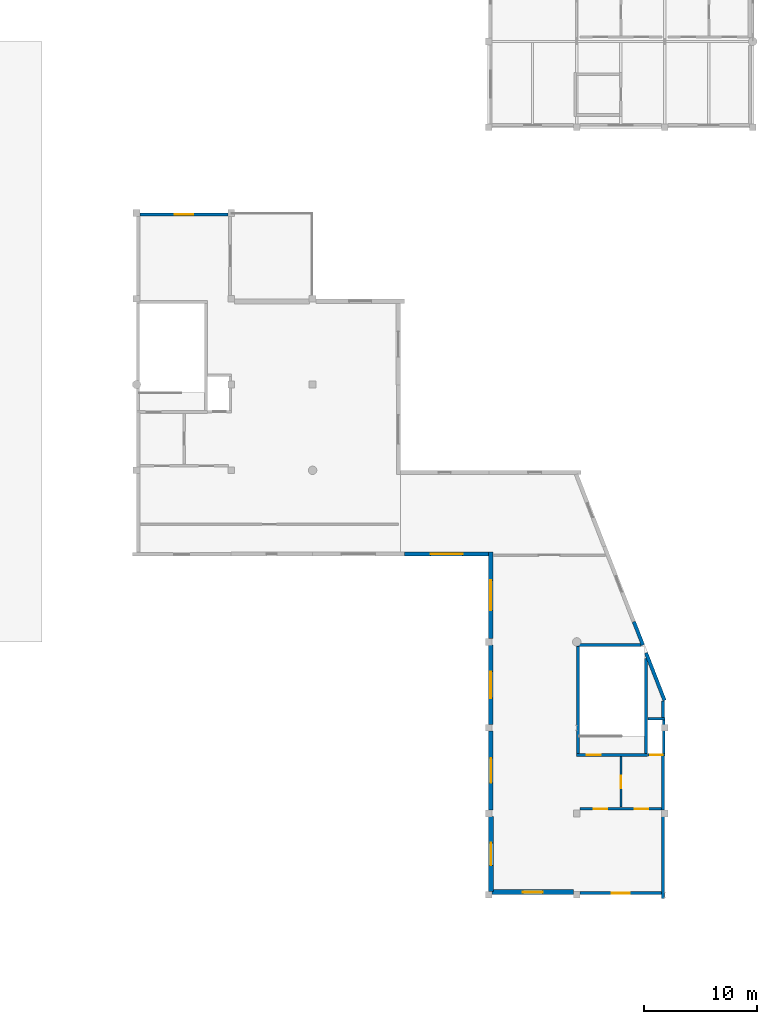
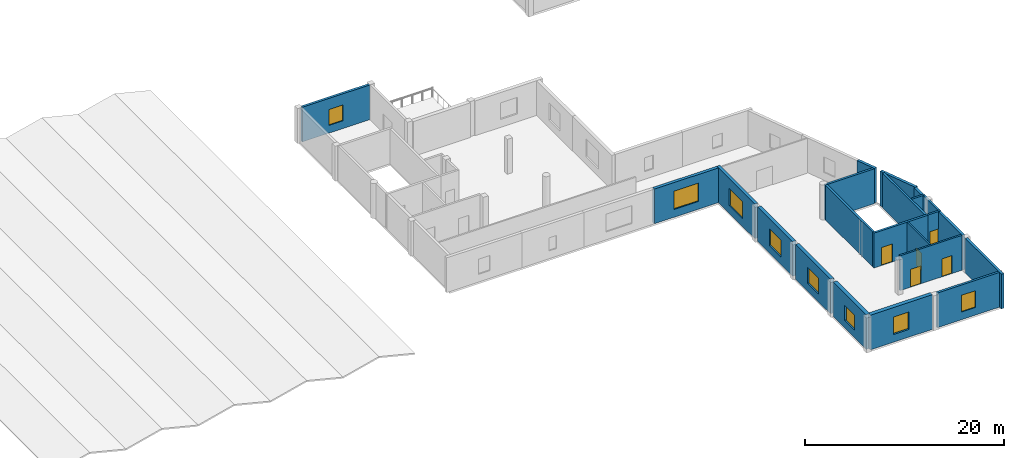
# One storey, part 23 of 28: 22 walls, 8 windows, 5 doors, 13 openings.
"""IFC4 building model written with IfcOpenShell, lengths in metres."""

import ifcopenshell
import ifcopenshell.guid

model = None  # the IFC model being written
_history = None  # IfcOwnerHistory: only IFC2X3 demands one
_inside = {}  # id of a spatial element -> (the spatial element, [elements in it])
_under = {}  # id of a project, library or spatial element -> (it, [spatial elements below it])
_declared = {}  # id of a project -> (the project, [libraries it declares])
_typed = {}  # id of a type object -> (the type object, [elements of that type])
_made_of = {}  # id of a material, layer set ... -> (it, [elements and type objects made of it])


def new_model(schema):
    """Start an empty IFC model of exactly this schema.

    Asked for "IFC4X3", IfcOpenShell would pick the latest addendum, in which some entities
    have other attributes; the version numbers below select the first issue.
    IFC2X3 requires an IfcOwnerHistory on every rooted entity: one is made here for all.
    """
    global model, _history
    if schema == "IFC4X3":
        model = ifcopenshell.file(schema_version=(4, 3, 0, 0))
    else:
        model = ifcopenshell.file(schema=schema)
    _inside.clear()
    _under.clear()
    _declared.clear()
    _typed.clear()
    _made_of.clear()
    _history = None
    if model.schema == "IFC2X3":
        org = make("IfcOrganization", Name="unknown")
        user = make(
            "IfcPersonAndOrganization",
            ThePerson=make("IfcPerson", FamilyName="unknown"),
            TheOrganization=org,
        )
        app = make(
            "IfcApplication",
            ApplicationDeveloper=org,
            Version="unknown",
            ApplicationFullName="unknown",
            ApplicationIdentifier="unknown",
        )
        _history = make(
            "IfcOwnerHistory",
            OwningUser=user,
            OwningApplication=app,
            ChangeAction="ADDED",
            CreationDate=0,
        )
    return model


def make(cls, **values):
    """One entity of the class cls with the attributes given. An attribute that is None is left unset."""
    return model.create_entity(
        cls, **{name: value for name, value in values.items() if value is not None}
    )


def rooted(cls, **values):
    """An entity with a GlobalId (a new one), such as an element, a storey or a relation."""
    return make(cls, GlobalId=ifcopenshell.guid.new(), OwnerHistory=_history, **values)


def si_unit(unit_type, name, prefix=None):
    """IfcSIUnit, for example si_unit("LENGTHUNIT", "METRE", prefix="MILLI")."""
    return make("IfcSIUnit", UnitType=unit_type, Prefix=prefix, Name=name)


def assignment(units):
    """IfcUnitAssignment: the units of a project."""
    return None if units is None else make("IfcUnitAssignment", Units=units)


def point(xyz):
    """IfcCartesianPoint."""
    return None if xyz is None else make("IfcCartesianPoint", Coordinates=xyz)


def direction(xyz):
    """IfcDirection."""
    return None if xyz is None else make("IfcDirection", DirectionRatios=xyz)


def frame(location, z_axis=None, x_axis=None):
    """IfcAxis2Placement3D, a coordinate frame: its origin and axes. An axis left out is left unset."""
    return make(
        "IfcAxis2Placement3D",
        Location=point(location),
        Axis=direction(z_axis),
        RefDirection=direction(x_axis),
    )


def frame_2d(location, x_axis=None):
    """IfcAxis2Placement2D, a coordinate frame in the plane: its origin and x axis."""
    return make(
        "IfcAxis2Placement2D", Location=point(location), RefDirection=direction(x_axis)
    )


def origin():
    """The frame at (0, 0, 0) with its axes left unset."""
    return frame((0.0, 0.0, 0.0))


def place(relative_to, where):
    """IfcLocalPlacement: puts the frame where relative to a parent placement (None: the world)."""
    return make(
        "IfcLocalPlacement", PlacementRelTo=relative_to, RelativePlacement=where
    )


def context(
    kind, dimensions, precision=None, world=None, true_north=None, identifier=None
):
    """IfcGeometricRepresentationContext, for example the 3D "Model" context."""
    return make(
        "IfcGeometricRepresentationContext",
        ContextIdentifier=identifier,
        ContextType=kind,
        CoordinateSpaceDimension=dimensions,
        Precision=precision,
        WorldCoordinateSystem=world,
        TrueNorth=true_north,
    )


def subcontext(parent, identifier, kind, view, scale=None):
    """IfcGeometricRepresentationSubContext, for example "Body" below "Model"."""
    return make(
        "IfcGeometricRepresentationSubContext",
        ContextIdentifier=identifier,
        ContextType=kind,
        ParentContext=parent,
        TargetScale=scale,
        TargetView=view,
    )


def project(units=None, contexts=None):
    """IfcProject with its units and contexts."""
    return rooted(
        "IfcProject",
        Name="project",
        RepresentationContexts=contexts,
        UnitsInContext=assignment(units),
    )


def spatial(cls, under=None, at=None, **own):
    """A site, building, storey or space (cls), placed at a placement, below another one or the project."""
    s = rooted(cls, ObjectPlacement=at, **own)
    if under is not None:
        _under.setdefault(under.id(), (under, []))[1].append(s)
    return s


def profile(cls, at=None, kind="AREA", **sizes):
    """A parametric profile (cls). Its sizes go by their IFC names, for example OverallWidth=200.0."""
    return make(cls, ProfileType=kind, Position=at, **sizes)


def rectangle(**sizes):
    """IfcRectangleProfileDef."""
    return profile("IfcRectangleProfileDef", **sizes)


def extrude(swept, where, along, depth):
    """IfcExtrudedAreaSolid: the profile swept, set in the frame where, extruded along a direction by depth."""
    return make(
        "IfcExtrudedAreaSolid",
        SweptArea=swept,
        Position=where,
        ExtrudedDirection=direction(along),
        Depth=depth,
    )


def shape(context_of_items, identifier, shape_type, items):
    """IfcShapeRepresentation: the items that make up one representation, for example the "Body"."""
    return make(
        "IfcShapeRepresentation",
        ContextOfItems=context_of_items,
        RepresentationIdentifier=identifier,
        RepresentationType=shape_type,
        Items=items,
    )


def material(Name=None, Category=None):
    """IfcMaterial."""
    return make("IfcMaterial", Name=Name, Category=Category)


def layer(
    of_material, thickness, ventilated=None, Name=None, Category=None, Priority=None
):
    """IfcMaterialLayer: one layer of a wall or slab, of a material (None: an air gap)."""
    return make(
        "IfcMaterialLayer",
        Material=of_material,
        LayerThickness=thickness,
        IsVentilated=ventilated,
        Name=Name,
        Category=Category,
        Priority=Priority,
    )


def layer_set(layers, Name=None):
    """IfcMaterialLayerSet."""
    return make("IfcMaterialLayerSet", MaterialLayers=layers, LayerSetName=Name)


def made_of(thing, what):
    """Note that an element or type object is made of a material, layer set ...; save() writes the relation."""
    if what is not None:
        _made_of.setdefault(what.id(), (what, []))[1].append(thing)
    return thing


def type_object(cls, material=None, **own):
    """A type object (cls), such as IfcWallType, which elements share."""
    return made_of(rooted(cls, **own), material)


def element(
    cls,
    number,
    at=None,
    inside=None,
    cuts=None,
    type_object=None,
    material=None,
    context=None,
    identifier="Body",
    shape_type=None,
    held_by="IfcProductDefinitionShape",
    body=None,
    shapes=None,
    **own,
):
    """One element of the class cls, such as IfcWall. Its Tag is "e" and its number.

    at: its placement. inside: the storey or other place that contains it. cuts: it is an
    opening in that element (IfcRelVoidsElement). A single representation is given by context,
    identifier, shape_type and body (its items); several are given by shapes. held_by: the class
    of the entity that holds the representations. save() writes the other relations.
    """
    e = rooted(cls, Tag="e%d" % number, ObjectPlacement=at, **own)
    if body is not None:
        shapes = [shape(context, identifier, shape_type, body)]
    if shapes is not None:
        e.Representation = make(held_by, Representations=shapes)
    if inside is not None:
        _inside.setdefault(inside.id(), (inside, []))[1].append(e)
    if cuts is not None:
        rooted(
            "IfcRelVoidsElement", RelatingBuildingElement=cuts, RelatedOpeningElement=e
        )
    if type_object is not None:
        _typed.setdefault(type_object.id(), (type_object, []))[1].append(e)
    return made_of(e, material)


def fill(opening, filler):
    """IfcRelFillsElement: the door or window that sits in an opening."""
    return rooted(
        "IfcRelFillsElement",
        RelatingOpeningElement=opening,
        RelatedBuildingElement=filler,
    )


def aggregate(whole, parts):
    """IfcRelAggregates: a whole, such as a stair, and the parts it consists of."""
    return rooted("IfcRelAggregates", RelatingObject=whole, RelatedObjects=parts)


def save(model, path):
    """Write the relations noted so far, then the file.

    IfcRelAggregates (storeys below a building ...), IfcRelContainedInSpatialStructure (elements
    in a storey), IfcRelDefinesByType, IfcRelAssociatesMaterial and IfcRelDeclares: one each for
    every whole, place, type object, material and project.
    """
    for whole, parts in _under.values():
        aggregate(whole, parts)
    for where, things in _inside.values():
        rooted(
            "IfcRelContainedInSpatialStructure",
            RelatedElements=things,
            RelatingStructure=where,
        )
    for kind, things in _typed.values():
        rooted("IfcRelDefinesByType", RelatedObjects=things, RelatingType=kind)
    for what, things in _made_of.values():
        rooted("IfcRelAssociatesMaterial", RelatedObjects=things, RelatingMaterial=what)
    for by, libraries in _declared.values():
        rooted("IfcRelDeclares", RelatingContext=by, RelatedDefinitions=libraries)
    model.write(path)


model = new_model("IFC4")

# Units and contexts
model_context = context("Model", 3, precision=1e-05, world=origin(), true_north=direction((0.0, 1.0)))
body_context = subcontext(model_context, "Body", "Model", "MODEL_VIEW")
ifc_project = project(units=[si_unit("LENGTHUNIT", "METRE"), si_unit("AREAUNIT", "SQUARE_METRE"), si_unit("VOLUMEUNIT", "CUBIC_METRE"), si_unit("PLANEANGLEUNIT", "RADIAN"), si_unit("MASSUNIT", "GRAM", prefix="KILO")], contexts=[model_context])

# Site, building, storey
site_placement = place(None, origin())
site = spatial("IfcSite", under=ifc_project, at=site_placement, CompositionType="ELEMENT")
building_placement = place(site_placement, origin())
building = spatial("IfcBuilding", under=site, at=building_placement, Name="Xicomal Pleat Aquarium", CompositionType="ELEMENT")
storey_placement = place(building_placement, frame((0.0, 0.0, 15.300048828125)))
storey = spatial("IfcBuildingStorey", under=building, at=storey_placement, Name="L04", CompositionType="ELEMENT", Elevation=15.300048828125)

# Wall, opening, door
ifc_material_1 = material(Name="Concrete C40/50", Category="concrete")
ifc_layer_1 = layer(ifc_material_1, 0.219970703125)
ifc_layer_set_1 = layer_set([ifc_layer_1], Name="Concrete C40/50")
wall_type_1 = type_object("IfcWallType", Name="WAL-COR-220", PredefinedType="SHEAR", material=ifc_layer_set_1)
wall_1_placement = place(storey_placement, frame((147.89990234375, 20.389892578125, 0.0), z_axis=(0.0, 0.0, 1.0), x_axis=(1.0, 0.0, 0.0)))
wall_1 = element("IfcWall", 1, at=wall_1_placement, inside=storey, type_object=wall_type_1, Name="L04 LF-08 lift shaft wall CW-L04-C8-LS", PredefinedType="SHEAR", context=body_context, shape_type="SweptSolid", body=[
    extrude(rectangle(XDim=1.52001953125, YDim=0.219970703125, at=frame_2d((0.760009765625, 0.0))), origin(), (0.0, 0.0, 1.0), 4.280029296875),
])
opening_1_placement = place(wall_1_placement, frame((0.2099609375, 0.0, 0.0)))
opening_1 = element("IfcOpeningElement", 2, at=opening_1_placement, cuts=wall_1, Name="Opening LD-08-L04", PredefinedType="OPENING", context=body_context, shape_type="SweptSolid", body=[
    extrude(rectangle(XDim=1.10009765625, YDim=2.14990234375, at=frame_2d((0.550048828125, 1.074951171875))), frame((0.0, 0.119873046875, 0.0), z_axis=(0.0, -1.0, 0.0), x_axis=(1.0, 0.0, 0.0)), (0.0, 0.0, 1.0), 0.239990234375),
])
ifc_material_2 = material(Name="Brushed stainless steel 304", Category="steel")
door_type_1 = type_object("IfcDoorType", Name="DOR-LD-1100x2150", OperationType="DOUBLE_DOOR_SLIDING", PredefinedType="DOOR", material=ifc_material_2)
door_1_placement = place(opening_1_placement, origin())
door_1 = element("IfcDoor", 3, at=door_1_placement, inside=storey, type_object=door_type_1, Name="L04 LF-08 sliding lift landing door", OperationType="DOUBLE_DOOR_SLIDING", OverallHeight=2.14990234375, OverallWidth=1.10009765625, PredefinedType="DOOR", context=body_context, shape_type="SweptSolid", body=[
    extrude(rectangle(XDim=1.10009765625, YDim=2.14990234375, at=frame_2d((0.550048828125, 1.074951171875))), frame((0.0, 0.02490234375, 0.0), z_axis=(0.0, -1.0, 0.0), x_axis=(1.0, 0.0, 0.0)), (0.0, 0.0, 1.0), 0.050048828125),
])
fill(opening_1, door_1)

# Walls
wall_2_placement = place(storey_placement, frame((147.89990234375, 23.610107421875, 0.0), z_axis=(0.0, 0.0, 1.0), x_axis=(1.0, 0.0, 0.0)))
element("IfcWall", 4, at=wall_2_placement, inside=storey, type_object=wall_type_1, Name="L04 LF-08 lift shaft wall CW-L04-C8-LN", PredefinedType="SHEAR", context=body_context, shape_type="SweptSolid", body=[
    extrude(rectangle(XDim=1.52001953125, YDim=0.219970703125, at=frame_2d((0.760009765625, 0.0))), origin(), (0.0, 0.0, 1.0), 4.280029296875),
])
wall_3_placement = place(storey_placement, frame((149.31005859375, 20.5, 0.0), z_axis=(0.0, 0.0, 1.0), x_axis=(0.0, 1.0, 0.0)))
element("IfcWall", 5, at=wall_3_placement, inside=storey, type_object=wall_type_1, Name="L04 LF-08 lift shaft wall CW-L04-C8-LE", PredefinedType="SHEAR", context=body_context, shape_type="SweptSolid", body=[
    extrude(rectangle(XDim=3.0, YDim=0.219970703125, at=frame_2d((1.5, 0.0))), origin(), (0.0, 0.0, 1.0), 4.280029296875),
])

# Wall, opening, door
ifc_material_3 = material(Name="Concrete C40/50", Category="concrete")
ifc_layer_2 = layer(ifc_material_3, 0.25)
ifc_layer_set_2 = layer_set([ifc_layer_2], Name="Concrete C40/50")
wall_type_2 = type_object("IfcWallType", Name="WAL-COR-250", PredefinedType="SHEAR", material=ifc_layer_set_2)
wall_4_placement = place(storey_placement, frame((141.590087890625, 20.375, 0.0), z_axis=(0.0, 0.0, 1.0), x_axis=(1.0, 0.0, 0.0)))
wall_4 = element("IfcWall", 6, at=wall_4_placement, inside=storey, type_object=wall_type_2, Name="L04 CORE-8 stair shear wall CW-L04-C8-SS", PredefinedType="SHEAR", context=body_context, shape_type="SweptSolid", body=[
    extrude(rectangle(XDim=6.280029296875, YDim=0.25, at=frame_2d((3.14013671875, 0.0))), origin(), (0.0, 0.0, 1.0), 4.280029296875),
])
opening_2_placement = place(wall_4_placement, frame((0.89990234375, 0.0, 0.0)))
opening_2 = element("IfcOpeningElement", 7, at=opening_2_placement, cuts=wall_4, Name="Opening SD-08-L04", PredefinedType="OPENING", context=body_context, shape_type="SweptSolid", body=[
    extrude(rectangle(XDim=1.25, YDim=2.199951171875, at=frame_2d((0.625, 1.10009765625))), frame((0.0, 0.135009765625, 0.0), z_axis=(0.0, -1.0, 0.0), x_axis=(1.0, 0.0, 0.0)), (0.0, 0.0, 1.0), 0.27001953125),
])
ifc_material_4 = material(Name="Powder-coated steel fire door", Category="steel")
door_type_2 = type_object("IfcDoorType", Name="DOR-ST-1250x2200", OperationType="NOTDEFINED", PredefinedType="DOOR", material=ifc_material_4)
door_2_placement = place(opening_2_placement, origin())
door_2 = element("IfcDoor", 8, at=door_2_placement, inside=storey, type_object=door_type_2, Name="L04 ST-08 protected stair door", OperationType="SINGLE_SWING_LEFT", OverallHeight=2.199951171875, OverallWidth=1.25, PredefinedType="DOOR", context=body_context, shape_type="SweptSolid", body=[
    extrude(rectangle(XDim=1.25, YDim=2.199951171875, at=frame_2d((0.625, 1.10009765625))), frame((0.0, 0.02490234375, 0.0), z_axis=(0.0, -1.0, 0.0), x_axis=(1.0, 0.0, 0.0)), (0.0, 0.0, 1.0), 0.050048828125),
])
fill(opening_2, door_2)

# Walls
wall_5_placement = place(storey_placement, frame((141.590087890625, 30.125, 0.0), z_axis=(0.0, 0.0, 1.0), x_axis=(1.0, 0.0, 0.0)))
element("IfcWall", 9, at=wall_5_placement, inside=storey, type_object=wall_type_2, Name="L04 CORE-8 stair shear wall CW-L04-C8-SN", PredefinedType="SHEAR", context=body_context, shape_type="SweptSolid", body=[
    extrude(rectangle(XDim=5.68798828125, YDim=0.25, at=frame_2d((2.843994140625, 0.0))), origin(), (0.0, 0.0, 1.0), 4.280029296875),
])
wall_6_placement = place(storey_placement, frame((141.715087890625, 20.5, 0.0), z_axis=(0.0, 0.0, 1.0), x_axis=(0.0, 1.0, 0.0)))
element("IfcWall", 10, at=wall_6_placement, inside=storey, type_object=wall_type_2, Name="L04 CORE-8 stair shear wall CW-L04-C8-SW", PredefinedType="SHEAR", context=body_context, shape_type="SweptSolid", body=[
    extrude(rectangle(XDim=9.5, YDim=0.25, at=frame_2d((4.75, 0.0))), origin(), (0.0, 0.0, 1.0), 4.280029296875),
])
wall_7_placement = place(storey_placement, frame((147.7451171875, 20.5, 0.0), z_axis=(0.0, 0.0, 1.0), x_axis=(0.0, 1.0, 0.0)))
element("IfcWall", 11, at=wall_7_placement, inside=storey, type_object=wall_type_2, Name="L04 CORE-8 stair shear wall CW-L04-C8-SE", PredefinedType="SHEAR", context=body_context, shape_type="SweptSolid", body=[
    extrude(rectangle(XDim=8.428955078125, YDim=0.25, at=frame_2d((4.21435546875, 0.0))), origin(), (0.0, 0.0, 1.0), 4.280029296875),
])

# Wall, opening, window
ifc_material_5 = material(Name="Volcanic basalt recinto masonry and concrete C40/50", Category="masonry")
ifc_layer_3 = layer(ifc_material_5, 0.35009765625)
ifc_layer_set_3 = layer_set([ifc_layer_3], Name="Volcanic basalt recinto masonry and concrete C40/50")
wall_type_3 = type_object("IfcWallType", Name="WAL-EXT-BAS-350", PredefinedType="SOLIDWALL", material=ifc_layer_set_3)
wall_8_placement = place(storey_placement, frame((133.7958984375, 38.175048828125, 0.0), z_axis=(0.0, 0.0, 1.0), x_axis=(-1.0, 0.0, 0.0)))
wall_8 = element("IfcWall", 12, at=wall_8_placement, inside=storey, type_object=wall_type_3, Name="L04 exterior basalt-precast wall EW-L04-040", PredefinedType="SOLIDWALL", context=body_context, shape_type="SweptSolid", body=[
    extrude(rectangle(XDim=7.435791015625, YDim=0.35009765625, at=frame_2d((3.7177734375, 0.0))), origin(), (0.0, 0.0, 1.0), 4.260009765625),
])
opening_3_placement = place(wall_8_placement, frame((2.29296875, 0.0, 0.949951171875)))
opening_3 = element("IfcOpeningElement", 13, at=opening_3_placement, cuts=wall_8, Name="Opening WN-24", PredefinedType="OPENING", context=body_context, shape_type="SweptSolid", body=[
    extrude(rectangle(XDim=2.85009765625, YDim=2.25, at=frame_2d((1.425048828125, 1.125))), frame((0.0, 0.18505859375, 0.0), z_axis=(0.0, -1.0, 0.0), x_axis=(1.0, 0.0, 0.0)), (0.0, 0.0, 1.0), 0.3701171875),
])
ifc_material_6 = material(Name="Insulated low-E laminated glass", Category="glass")
window_type_1 = type_object("IfcWindowType", Name="WIN-EXT-2850x2250", PartitioningType="DOUBLE_PANEL_VERTICAL", PredefinedType="WINDOW", material=ifc_material_6)
window_1_placement = place(opening_3_placement, origin())
window_1 = element("IfcWindow", 14, at=window_1_placement, inside=storey, type_object=window_type_1, Name="L04 thermally broken low-E window 72", OverallHeight=2.25, OverallWidth=2.85009765625, PartitioningType="SINGLE_PANEL", PredefinedType="WINDOW", context=body_context, shape_type="SweptSolid", body=[
    extrude(rectangle(XDim=2.85009765625, YDim=2.25, at=frame_2d((1.425048828125, 1.125))), frame((0.0, 0.030029296875, 0.0), z_axis=(0.0, -1.0, 0.0), x_axis=(1.0, 0.0, 0.0)), (0.0, 0.0, 1.0), 0.06005859375),
])
fill(opening_3, window_1)

ifc_material_7 = material(Name="Volcanic basalt recinto masonry and concrete C40/50", Category="masonry")
ifc_layer_4 = layer(ifc_material_7, 0.364990234375)
ifc_layer_set_4 = layer_set([ifc_layer_4], Name="Volcanic basalt recinto masonry and concrete C40/50")
wall_type_4 = type_object("IfcWallType", Name="WAL-EXT-BAS-365", PredefinedType="SOLIDWALL", material=ifc_layer_set_4)
wall_9_placement = place(storey_placement, frame((133.98291015625, 30.68505859375, 0.0), z_axis=(0.0, 0.0, 1.0), x_axis=(0.0, 1.0, 0.0)))
wall_9 = element("IfcWall", 15, at=wall_9_placement, inside=storey, type_object=wall_type_4, Name="L04 exterior basalt-precast wall EW-L04-039", PredefinedType="SOLIDWALL", context=body_context, shape_type="SweptSolid", body=[
    extrude(rectangle(XDim=7.675048828125, YDim=0.364990234375, at=frame_2d((3.83740234375, 0.0))), origin(), (0.0, 0.0, 1.0), 4.260009765625),
])
opening_4_placement = place(wall_9_placement, frame((2.512939453125, 0.0, 0.949951171875)))
opening_4 = element("IfcOpeningElement", 16, at=opening_4_placement, cuts=wall_9, Name="Opening WN-23", PredefinedType="OPENING", context=body_context, shape_type="SweptSolid", body=[
    extrude(rectangle(XDim=2.64990234375, YDim=2.10009765625, at=frame_2d((1.324951171875, 1.050048828125))), frame((0.0, 0.1923828125, 0.0), z_axis=(0.0, -1.0, 0.0), x_axis=(1.0, 0.0, 0.0)), (0.0, 0.0, 1.0), 0.385009765625),
])
ifc_material_8 = material(Name="Insulated low-E laminated glass", Category="glass")
window_type_2 = type_object("IfcWindowType", Name="WIN-EXT-2650x2100", PartitioningType="DOUBLE_PANEL_VERTICAL", PredefinedType="WINDOW", material=ifc_material_8)
window_2_placement = place(opening_4_placement, origin())
window_2 = element("IfcWindow", 17, at=window_2_placement, inside=storey, type_object=window_type_2, Name="L04 thermally broken low-E window 71", OverallHeight=2.10009765625, OverallWidth=2.64990234375, PartitioningType="SINGLE_PANEL", PredefinedType="WINDOW", context=body_context, shape_type="SweptSolid", body=[
    extrude(rectangle(XDim=2.64990234375, YDim=2.10009765625, at=frame_2d((1.324951171875, 1.050048828125))), frame((0.0, 0.030029296875, 0.0), z_axis=(0.0, -1.0, 0.0), x_axis=(1.0, 0.0, 0.0)), (0.0, 0.0, 1.0), 0.06005859375),
])
fill(opening_4, window_2)

ifc_material_9 = material(Name="Volcanic basalt recinto masonry and concrete C40/50", Category="masonry")
ifc_layer_5 = layer(ifc_material_9, 0.3798828125)
ifc_layer_set_5 = layer_set([ifc_layer_5], Name="Volcanic basalt recinto masonry and concrete C40/50")
wall_type_5 = type_object("IfcWallType", Name="WAL-EXT-BAS-380", PredefinedType="SOLIDWALL", material=ifc_layer_set_5)
wall_10_placement = place(storey_placement, frame((133.989990234375, 23.0849609375, 0.0), z_axis=(0.0, 0.0, 1.0), x_axis=(0.0, 1.0, 0.0)))
wall_10 = element("IfcWall", 18, at=wall_10_placement, inside=storey, type_object=wall_type_5, Name="L04 exterior basalt-precast wall EW-L04-038", PredefinedType="SOLIDWALL", context=body_context, shape_type="SweptSolid", body=[
    extrude(rectangle(XDim=7.030029296875, YDim=0.3798828125, at=frame_2d((3.51513671875, 0.0))), origin(), (0.0, 0.0, 1.0), 4.260009765625),
])
opening_5_placement = place(wall_10_placement, frame((2.340087890625, 0.0, 0.949951171875)))
opening_5 = element("IfcOpeningElement", 19, at=opening_5_placement, cuts=wall_10, Name="Opening WN-22", PredefinedType="OPENING", context=body_context, shape_type="SweptSolid", body=[
    extrude(rectangle(XDim=2.35009765625, YDim=2.050048828125, at=frame_2d((1.175048828125, 1.02490234375))), frame((0.0, 0.199951171875, 0.0), z_axis=(0.0, -1.0, 0.0), x_axis=(1.0, 0.0, 0.0)), (0.0, 0.0, 1.0), 0.39990234375),
])
ifc_material_10 = material(Name="Insulated low-E laminated glass", Category="glass")
window_type_3 = type_object("IfcWindowType", Name="WIN-EXT-2350x2050", PartitioningType="DOUBLE_PANEL_VERTICAL", PredefinedType="WINDOW", material=ifc_material_10)
window_3_placement = place(opening_5_placement, origin())
window_3 = element("IfcWindow", 20, at=window_3_placement, inside=storey, type_object=window_type_3, Name="L04 thermally broken low-E window 70", OverallHeight=2.050048828125, OverallWidth=2.35009765625, PartitioningType="SINGLE_PANEL", PredefinedType="WINDOW", context=body_context, shape_type="SweptSolid", body=[
    extrude(rectangle(XDim=2.35009765625, YDim=2.050048828125, at=frame_2d((1.175048828125, 1.02490234375))), frame((0.0, 0.030029296875, 0.0), z_axis=(0.0, -1.0, 0.0), x_axis=(1.0, 0.0, 0.0)), (0.0, 0.0, 1.0), 0.06005859375),
])
fill(opening_5, window_3)

ifc_material_11 = material(Name="Volcanic basalt recinto masonry and concrete C40/50", Category="masonry")
ifc_layer_6 = layer(ifc_material_11, 0.39990234375)
ifc_layer_set_6 = layer_set([ifc_layer_6], Name="Volcanic basalt recinto masonry and concrete C40/50")
wall_type_6 = type_object("IfcWallType", Name="WAL-EXT-BAS-400", PredefinedType="SOLIDWALL", material=ifc_layer_set_6)
wall_11_placement = place(storey_placement, frame((134.0, 15.485107421875, 0.0), z_axis=(0.0, 0.0, 1.0), x_axis=(0.0, 1.0, 0.0)))
wall_11 = element("IfcWall", 21, at=wall_11_placement, inside=storey, type_object=wall_type_6, Name="L04 exterior basalt-precast wall EW-L04-037", PredefinedType="SOLIDWALL", context=body_context, shape_type="SweptSolid", body=[
    extrude(rectangle(XDim=7.02978515625, YDim=0.39990234375, at=frame_2d((3.514892578125, 0.0))), origin(), (0.0, 0.0, 1.0), 4.260009765625),
])
opening_6_placement = place(wall_11_placement, frame((2.4150390625, 0.0, 0.949951171875)))
opening_6 = element("IfcOpeningElement", 22, at=opening_6_placement, cuts=wall_11, Name="Opening WN-21", PredefinedType="OPENING", context=body_context, shape_type="SweptSolid", body=[
    extrude(rectangle(XDim=2.199951171875, YDim=1.949951171875, at=frame_2d((1.10009765625, 0.97509765625))), frame((0.0, 0.2099609375, 0.0), z_axis=(0.0, -1.0, 0.0), x_axis=(1.0, 0.0, 0.0)), (0.0, 0.0, 1.0), 0.419921875),
])
ifc_material_12 = material(Name="Insulated low-E laminated glass", Category="glass")
window_type_4 = type_object("IfcWindowType", Name="WIN-EXT-2200x1950", PartitioningType="DOUBLE_PANEL_VERTICAL", PredefinedType="WINDOW", material=ifc_material_12)
window_4_placement = place(opening_6_placement, origin())
window_4 = element("IfcWindow", 23, at=window_4_placement, inside=storey, type_object=window_type_4, Name="L04 thermally broken low-E window 69", OverallHeight=1.949951171875, OverallWidth=2.199951171875, PartitioningType="SINGLE_PANEL", PredefinedType="WINDOW", context=body_context, shape_type="SweptSolid", body=[
    extrude(rectangle(XDim=2.199951171875, YDim=1.949951171875, at=frame_2d((1.10009765625, 0.97509765625))), frame((0.0, 0.030029296875, 0.0), z_axis=(0.0, -1.0, 0.0), x_axis=(1.0, 0.0, 0.0)), (0.0, 0.0, 1.0), 0.06005859375),
])
fill(opening_6, window_4)

ifc_material_13 = material(Name="Volcanic basalt recinto masonry and concrete C40/50", Category="masonry")
ifc_layer_7 = layer(ifc_material_13, 0.419921875)
ifc_layer_set_7 = layer_set([ifc_layer_7], Name="Volcanic basalt recinto masonry and concrete C40/50")
wall_type_7 = type_object("IfcWallType", Name="WAL-EXT-BAS-420", PredefinedType="SOLIDWALL", material=ifc_layer_set_7)
wall_12_placement = place(storey_placement, frame((134.010009765625, 8.284912109375, 0.0), z_axis=(0.0, 0.0, 1.0), x_axis=(0.0, 1.0, 0.0)))
wall_12 = element("IfcWall", 24, at=wall_12_placement, inside=storey, type_object=wall_type_7, Name="L04 exterior basalt-precast wall EW-L04-036", PredefinedType="SOLIDWALL", context=body_context, shape_type="SweptSolid", body=[
    extrude(rectangle(XDim=6.630126953125, YDim=0.419921875, at=frame_2d((3.31494140625, 0.0))), origin(), (0.0, 0.0, 1.0), 4.260009765625),
])
opening_7_placement = place(wall_12_placement, frame((2.31494140625, 0.0, 0.949951171875)))
opening_7 = element("IfcOpeningElement", 25, at=opening_7_placement, cuts=wall_12, Name="Opening WN-20", PredefinedType="OPENING", context=body_context, shape_type="SweptSolid", body=[
    extrude(rectangle(XDim=2.0, YDim=1.85009765625, at=frame_2d((1.0, 0.925048828125))), frame((0.0, 0.219970703125, 0.0), z_axis=(0.0, -1.0, 0.0), x_axis=(1.0, 0.0, 0.0)), (0.0, 0.0, 1.0), 0.43994140625),
])
ifc_material_14 = material(Name="Insulated low-E laminated glass", Category="glass")
window_type_5 = type_object("IfcWindowType", Name="WIN-EXT-2000x1850", PartitioningType="DOUBLE_PANEL_VERTICAL", PredefinedType="WINDOW", material=ifc_material_14)
window_5_placement = place(opening_7_placement, origin())
window_5 = element("IfcWindow", 26, at=window_5_placement, inside=storey, type_object=window_type_5, Name="L04 thermally broken low-E window 68", OverallHeight=1.85009765625, OverallWidth=2.0, PartitioningType="SINGLE_PANEL", PredefinedType="WINDOW", context=body_context, shape_type="SweptSolid", body=[
    extrude(rectangle(XDim=2.0, YDim=1.85009765625, at=frame_2d((1.0, 0.925048828125))), frame((0.0, 0.030029296875, 0.0), z_axis=(0.0, -1.0, 0.0), x_axis=(1.0, 0.0, 0.0)), (0.0, 0.0, 1.0), 0.06005859375),
])
fill(opening_7, window_5)

ifc_material_15 = material(Name="Volcanic basalt recinto masonry and concrete C40/50", Category="masonry")
ifc_layer_8 = layer(ifc_material_15, 0.445068359375)
ifc_layer_set_8 = layer_set([ifc_layer_8], Name="Volcanic basalt recinto masonry and concrete C40/50")
wall_type_8 = type_object("IfcWallType", Name="WAL-EXT-BAS-445", PredefinedType="SOLIDWALL", material=ifc_layer_set_8)
wall_13_placement = place(storey_placement, frame((141.31494140625, 8.222900390625, 0.0), z_axis=(0.0, 0.0, 1.0), x_axis=(-1.0, 0.0, 0.0)))
wall_13 = element("IfcWall", 27, at=wall_13_placement, inside=storey, type_object=wall_type_8, Name="L04 exterior basalt-precast wall EW-L04-035", PredefinedType="SOLIDWALL", context=body_context, shape_type="SweptSolid", body=[
    extrude(rectangle(XDim=7.22998046875, YDim=0.445068359375, at=frame_2d((3.614990234375, 0.0))), origin(), (0.0, 0.0, 1.0), 4.260009765625),
])
opening_8_placement = place(wall_13_placement, frame((2.739990234375, 0.0, 0.949951171875)))
opening_8 = element("IfcOpeningElement", 28, at=opening_8_placement, cuts=wall_13, Name="Opening WN-19", PredefinedType="OPENING", context=body_context, shape_type="SweptSolid", body=[
    extrude(rectangle(XDim=1.75, YDim=2.14990234375, at=frame_2d((0.875, 1.074951171875))), frame((0.0, 0.232421875, 0.0), z_axis=(0.0, -1.0, 0.0), x_axis=(1.0, 0.0, 0.0)), (0.0, 0.0, 1.0), 0.465087890625),
])
ifc_material_16 = material(Name="Insulated low-E laminated glass", Category="glass")
window_type_6 = type_object("IfcWindowType", Name="WIN-EXT-1750x2150", PartitioningType="SINGLE_PANEL", PredefinedType="WINDOW", material=ifc_material_16)
window_6_placement = place(opening_8_placement, origin())
window_6 = element("IfcWindow", 29, at=window_6_placement, inside=storey, type_object=window_type_6, Name="L04 thermally broken low-E window 67", OverallHeight=2.14990234375, OverallWidth=1.75, PartitioningType="SINGLE_PANEL", PredefinedType="WINDOW", context=body_context, shape_type="SweptSolid", body=[
    extrude(rectangle(XDim=1.75, YDim=2.14990234375, at=frame_2d((0.875, 1.074951171875))), frame((0.0, 0.030029296875, 0.0), z_axis=(0.0, -1.0, 0.0), x_axis=(1.0, 0.0, 0.0)), (0.0, 0.0, 1.0), 0.06005859375),
])
fill(opening_8, window_6)

ifc_material_17 = material(Name="Precast concrete C40/50", Category="concrete")
ifc_layer_9 = layer(ifc_material_17, 0.260009765625)
ifc_layer_set_9 = layer_set([ifc_layer_9], Name="Precast concrete C40/50")
wall_type_9 = type_object("IfcWallType", Name="WAL-EXT-PRC-260", PredefinedType="SOLIDWALL", material=ifc_layer_set_9)
wall_14_placement = place(storey_placement, frame((149.114990234375, 8.1298828125, 0.0), z_axis=(0.0, 0.0, 1.0), x_axis=(-1.0, 0.0, 0.0)))
wall_14 = element("IfcWall", 30, at=wall_14_placement, inside=storey, type_object=wall_type_9, Name="L04 exterior basalt-precast wall EW-L04-034B", PredefinedType="SOLIDWALL", context=body_context, shape_type="SweptSolid", body=[
    extrude(rectangle(XDim=7.22998046875, YDim=0.260009765625, at=frame_2d((3.614990234375, 0.0))), origin(), (0.0, 0.0, 1.0), 4.260009765625),
])
opening_9_placement = place(wall_14_placement, frame((2.81494140625, 0.0, 0.949951171875)))
opening_9 = element("IfcOpeningElement", 31, at=opening_9_placement, cuts=wall_14, Name="Opening WN-18", PredefinedType="OPENING", context=body_context, shape_type="SweptSolid", body=[
    extrude(rectangle(XDim=1.60009765625, YDim=2.050048828125, at=frame_2d((0.800048828125, 1.02490234375))), frame((0.0, 0.139892578125, 0.0), z_axis=(0.0, -1.0, 0.0), x_axis=(1.0, 0.0, 0.0)), (0.0, 0.0, 1.0), 0.280029296875),
])
ifc_material_18 = material(Name="Insulated low-E laminated glass", Category="glass")
window_type_7 = type_object("IfcWindowType", Name="WIN-EXT-1600x2050", PartitioningType="SINGLE_PANEL", PredefinedType="WINDOW", material=ifc_material_18)
window_7_placement = place(opening_9_placement, origin())
window_7 = element("IfcWindow", 32, at=window_7_placement, inside=storey, type_object=window_type_7, Name="L04 thermally broken low-E window 66", OverallHeight=2.050048828125, OverallWidth=1.60009765625, PartitioningType="SINGLE_PANEL", PredefinedType="WINDOW", context=body_context, shape_type="SweptSolid", body=[
    extrude(rectangle(XDim=1.60009765625, YDim=2.050048828125, at=frame_2d((0.800048828125, 1.02490234375))), frame((0.0, 0.030029296875, 0.0), z_axis=(0.0, -1.0, 0.0), x_axis=(1.0, 0.0, 0.0)), (0.0, 0.0, 1.0), 0.06005859375),
])
fill(opening_9, window_7)

ifc_material_19 = material(Name="Precast concrete C40/50", Category="concrete")
ifc_layer_10 = layer(ifc_material_19, 0.280029296875)
ifc_layer_set_10 = layer_set([ifc_layer_10], Name="Precast concrete C40/50")
wall_type_10 = type_object("IfcWallType", Name="WAL-EXT-PRC-280", PredefinedType="SOLIDWALL", material=ifc_layer_set_10)
wall_15_placement = place(storey_placement, frame((102.885009765625, 68.260009765625, 0.0), z_axis=(0.0, 0.0, 1.0), x_axis=(1.0, 0.0, 0.0)))
wall_15 = element("IfcWall", 33, at=wall_15_placement, inside=storey, type_object=wall_type_10, Name="L04 exterior basalt-precast wall EW-L04-020", PredefinedType="SOLIDWALL", context=body_context, shape_type="SweptSolid", body=[
    extrude(rectangle(XDim=7.830078125, YDim=0.280029296875, at=frame_2d((3.9150390625, 0.0))), origin(), (0.0, 0.0, 1.0), 4.260009765625),
])
opening_10_placement = place(wall_15_placement, frame((3.090087890625, 0.0, 0.949951171875)))
opening_10 = element("IfcOpeningElement", 34, at=opening_10_placement, cuts=wall_15, Name="Opening WN-10", PredefinedType="OPENING", context=body_context, shape_type="SweptSolid", body=[
    extrude(rectangle(XDim=1.64990234375, YDim=1.949951171875, at=frame_2d((0.824951171875, 0.97509765625))), frame((0.0, 0.14990234375, 0.0), z_axis=(0.0, -1.0, 0.0), x_axis=(1.0, 0.0, 0.0)), (0.0, 0.0, 1.0), 0.300048828125),
])
ifc_material_20 = material(Name="Insulated low-E laminated glass", Category="glass")
window_type_8 = type_object("IfcWindowType", Name="WIN-EXT-1650x1950", PartitioningType="SINGLE_PANEL", PredefinedType="WINDOW", material=ifc_material_20)
window_8_placement = place(opening_10_placement, origin())
window_8 = element("IfcWindow", 35, at=window_8_placement, inside=storey, type_object=window_type_8, Name="L04 thermally broken low-E window 58", OverallHeight=1.949951171875, OverallWidth=1.64990234375, PartitioningType="SINGLE_PANEL", PredefinedType="WINDOW", context=body_context, shape_type="SweptSolid", body=[
    extrude(rectangle(XDim=1.64990234375, YDim=1.949951171875, at=frame_2d((0.824951171875, 0.97509765625))), frame((0.0, 0.030029296875, 0.0), z_axis=(0.0, -1.0, 0.0), x_axis=(1.0, 0.0, 0.0)), (0.0, 0.0, 1.0), 0.06005859375),
])
fill(opening_10, window_8)

# Walls
wall_16_placement = place(storey_placement, frame((149.260009765625, 14.9150390625, 0.0), z_axis=(0.0, 0.0, 1.0), x_axis=(0.0, -1.0, 0.0)))
element("IfcWall", 36, at=wall_16_placement, inside=storey, type_object=wall_type_10, Name="L04 exterior basalt-precast wall EW-L04-033", PredefinedType="SOLIDWALL", context=body_context, shape_type="SweptSolid", body=[
    extrude(rectangle(XDim=7.275146484375, YDim=0.280029296875, at=frame_2d((3.6376953125, 0.0))), origin(), (0.0, 0.0, 1.0), 4.260009765625),
])
ifc_material_21 = material(Name="Precast concrete C40/50", Category="concrete")
ifc_layer_11 = layer(ifc_material_21, 0.2900390625)
ifc_layer_set_11 = layer_set([ifc_layer_11], Name="Precast concrete C40/50")
wall_type_11 = type_object("IfcWallType", Name="WAL-EXT-PRC-290", PredefinedType="SOLIDWALL", material=ifc_layer_set_11)
wall_17_placement = place(storey_placement, frame((149.2548828125, 20.320068359375, 0.0), z_axis=(0.0, 0.0, 1.0), x_axis=(0.0, -1.0, 0.0)))
element("IfcWall", 37, at=wall_17_placement, inside=storey, type_object=wall_type_11, Name="L04 exterior basalt-precast wall EW-L04-032", PredefinedType="SOLIDWALL", context=body_context, shape_type="SweptSolid", body=[
    extrude(rectangle(XDim=4.8349609375, YDim=0.2900390625, at=frame_2d((2.41748046875, 0.0))), origin(), (0.0, 0.0, 1.0), 4.260009765625),
])
ifc_material_22 = material(Name="Precast concrete C40/50", Category="concrete")
ifc_layer_12 = layer(ifc_material_22, 0.300048828125)
ifc_layer_set_12 = layer_set([ifc_layer_12], Name="Precast concrete C40/50")
wall_type_12 = type_object("IfcWallType", Name="WAL-EXT-PRC-300", PredefinedType="SOLIDWALL", material=ifc_layer_set_12)
wall_18_placement = place(storey_placement, frame((149.25, 25.155029296875, 0.0), z_axis=(0.0, 0.0, 1.0), x_axis=(0.0, -1.0, 0.0)))
element("IfcWall", 38, at=wall_18_placement, inside=storey, type_object=wall_type_12, Name="L04 exterior basalt-precast wall EW-L04-031", PredefinedType="SOLIDWALL", context=body_context, shape_type="SweptSolid", body=[
    extrude(rectangle(XDim=1.47509765625, YDim=0.300048828125, at=frame_2d((0.737548828125, 0.0))), origin(), (0.0, 0.0, 1.0), 4.260009765625),
])
ifc_material_23 = material(Name="Precast concrete C40/50", Category="concrete")
ifc_layer_13 = layer(ifc_material_23, 0.31201171875)
ifc_layer_set_13 = layer_set([ifc_layer_13], Name="Precast concrete C40/50")
wall_type_13 = type_object("IfcWallType", Name="WAL-EXT-PRC-312", PredefinedType="SOLIDWALL", material=ifc_layer_set_13)
wall_19_placement = place(storey_placement, frame((146.662109375, 32.19091796875, 0.0), z_axis=(0.0, 0.0, 1.0), x_axis=(0.363061118292, -0.931765326885, 0.0)))
element("IfcWall", 39, at=wall_19_placement, inside=storey, type_object=wall_type_13, Name="L04 exterior basalt-precast wall EW-L04-030", PredefinedType="SOLIDWALL", context=body_context, shape_type="SweptSolid", body=[
    extrude(rectangle(XDim=2.222412109375, YDim=0.31201171875, at=frame_2d((1.111328125, 0.0))), origin(), (0.0, 0.0, 1.0), 4.260009765625),
])
wall_20_placement = place(storey_placement, frame((147.739990234375, 29.426025390625, 0.0), z_axis=(0.0, 0.0, 1.0), x_axis=(0.363343872327, -0.93165510273, 0.0)))
element("IfcWall", 40, at=wall_20_placement, inside=storey, type_object=wall_type_13, Name="L04 exterior basalt-precast wall EW-L04-030B", PredefinedType="SOLIDWALL", context=body_context, shape_type="SweptSolid", body=[
    extrude(rectangle(XDim=4.52734375, YDim=0.31201171875, at=frame_2d((2.263671875, 0.0))), origin(), (0.0, 0.0, 1.0), 4.260009765625),
])

# Wall, opening, door
ifc_material_24 = material(Name="Acoustic double-stud drywall partition", Category="gypsum")
ifc_layer_14 = layer(ifc_material_24, 0.195068359375)
ifc_layer_set_14 = layer_set([ifc_layer_14], Name="Acoustic double-stud drywall partition")
wall_type_14 = type_object("IfcWallType", Name="WAL-PRT-195", PredefinedType="PARTITIONING", material=ifc_layer_set_14)
wall_21_placement = place(storey_placement, frame((145.52490234375, 15.75, 0.0), z_axis=(0.0, 0.0, 1.0), x_axis=(0.0, 1.0, 0.0)))
wall_21 = element("IfcWall", 41, at=wall_21_placement, inside=storey, type_object=wall_type_14, Name="L04 firefighting lobby smoke divider 8", PredefinedType="PARTITIONING", context=body_context, shape_type="SweptSolid", body=[
    extrude(rectangle(XDim=4.5, YDim=0.195068359375, at=frame_2d((2.25, 0.0))), origin(), (0.0, 0.0, 1.0), 4.280029296875),
])
opening_11_placement = place(wall_21_placement, frame((1.699951171875, 0.0, 0.0)))
opening_11 = element("IfcOpeningElement", 42, at=opening_11_placement, cuts=wall_21, Name="Opening FD-08C-L04", PredefinedType="OPENING", context=body_context, shape_type="SweptSolid", body=[
    extrude(rectangle(XDim=1.10009765625, YDim=2.14990234375, at=frame_2d((0.550048828125, 1.074951171875))), frame((0.0, 0.107421875, 0.0), z_axis=(0.0, -1.0, 0.0), x_axis=(1.0, 0.0, 0.0)), (0.0, 0.0, 1.0), 0.215087890625),
])
ifc_material_25 = material(Name="Powder-coated steel fire door", Category="steel")
door_type_3 = type_object("IfcDoorType", Name="DOR-LAB-1100x2150", OperationType="NOTDEFINED", PredefinedType="DOOR", material=ifc_material_25)
door_3_placement = place(opening_11_placement, origin())
door_3 = element("IfcDoor", 43, at=door_3_placement, inside=storey, type_object=door_type_3, Name="L04 lobby interconnecting fire door 8C", OperationType="SINGLE_SWING_RIGHT", OverallHeight=2.14990234375, OverallWidth=1.10009765625, PredefinedType="DOOR", context=body_context, shape_type="SweptSolid", body=[
    extrude(rectangle(XDim=1.10009765625, YDim=2.14990234375, at=frame_2d((0.550048828125, 1.074951171875))), frame((0.0, 0.02490234375, 0.0), z_axis=(0.0, -1.0, 0.0), x_axis=(1.0, 0.0, 0.0)), (0.0, 0.0, 1.0), 0.050048828125),
])
fill(opening_11, door_3)

# Wall, openings, doors
ifc_material_26 = material(Name="Fire-rated gypsum and mineral-wool partition", Category="gypsum")
ifc_layer_15 = layer(ifc_material_26, 0.2099609375)
ifc_layer_set_15 = layer_set([ifc_layer_15], Name="Fire-rated gypsum and mineral-wool partition")
wall_type_15 = type_object("IfcWallType", Name="WAL-PRT-210", PredefinedType="PARTITIONING", material=ifc_layer_set_15)
wall_22_placement = place(storey_placement, frame((141.89990234375, 15.60009765625, 0.0), z_axis=(0.0, 0.0, 1.0), x_axis=(1.0, 0.0, 0.0)))
wall_22 = element("IfcWall", 44, at=wall_22_placement, inside=storey, type_object=wall_type_15, Name="L04 CORE-8 lobby fire enclosure wall", PredefinedType="PARTITIONING", context=body_context, shape_type="SweptSolid", body=[
    extrude(rectangle(XDim=7.25, YDim=0.2099609375, at=frame_2d((3.625, 0.0))), origin(), (0.0, 0.0, 1.0), 4.280029296875),
])
opening_12_placement = place(wall_22_placement, frame((1.2119140625, 0.0, 0.0)))
opening_12 = element("IfcOpeningElement", 45, at=opening_12_placement, cuts=wall_22, Name="Opening FD-08A-L04", PredefinedType="OPENING", context=body_context, shape_type="SweptSolid", body=[
    extrude(rectangle(XDim=1.199951171875, YDim=2.199951171875, at=frame_2d((0.60009765625, 1.10009765625))), frame((0.0, 0.114990234375, 0.0), z_axis=(0.0, -1.0, 0.0), x_axis=(1.0, 0.0, 0.0)), (0.0, 0.0, 1.0), 0.22998046875),
])
opening_13_placement = place(wall_22_placement, frame((4.837890625, 0.0, 0.0)))
opening_13 = element("IfcOpeningElement", 46, at=opening_13_placement, cuts=wall_22, Name="Opening FD-08B-L04", PredefinedType="OPENING", context=body_context, shape_type="SweptSolid", body=[
    extrude(rectangle(XDim=1.199951171875, YDim=2.199951171875, at=frame_2d((0.60009765625, 1.10009765625))), frame((0.0, 0.114990234375, 0.0), z_axis=(0.0, -1.0, 0.0), x_axis=(1.0, 0.0, 0.0)), (0.0, 0.0, 1.0), 0.22998046875),
])
ifc_material_27 = material(Name="Powder-coated steel fire door", Category="steel")
door_type_4 = type_object("IfcDoorType", Name="DOR-FFL-1200x2200", OperationType="NOTDEFINED", PredefinedType="DOOR", material=ifc_material_27)
door_4_placement = place(opening_12_placement, origin())
door_4 = element("IfcDoor", 47, at=door_4_placement, inside=storey, type_object=door_type_4, Name="L04 firefighting lobby door 8A", OperationType="SINGLE_SWING_RIGHT", OverallHeight=2.199951171875, OverallWidth=1.199951171875, PredefinedType="DOOR", context=body_context, shape_type="SweptSolid", body=[
    extrude(rectangle(XDim=1.199951171875, YDim=2.199951171875, at=frame_2d((0.60009765625, 1.10009765625))), frame((0.0, 0.02490234375, 0.0), z_axis=(0.0, -1.0, 0.0), x_axis=(1.0, 0.0, 0.0)), (0.0, 0.0, 1.0), 0.050048828125),
])
fill(opening_12, door_4)
door_5_placement = place(opening_13_placement, origin())
door_5 = element("IfcDoor", 48, at=door_5_placement, inside=storey, type_object=door_type_4, Name="L04 lift lobby door 8B", OperationType="SINGLE_SWING_LEFT", OverallHeight=2.199951171875, OverallWidth=1.199951171875, PredefinedType="DOOR", context=body_context, shape_type="SweptSolid", body=[
    extrude(rectangle(XDim=1.199951171875, YDim=2.199951171875, at=frame_2d((0.60009765625, 1.10009765625))), frame((0.0, 0.02490234375, 0.0), z_axis=(0.0, -1.0, 0.0), x_axis=(1.0, 0.0, 0.0)), (0.0, 0.0, 1.0), 0.050048828125),
])
fill(opening_13, door_5)

save(model, "model.ifc")
